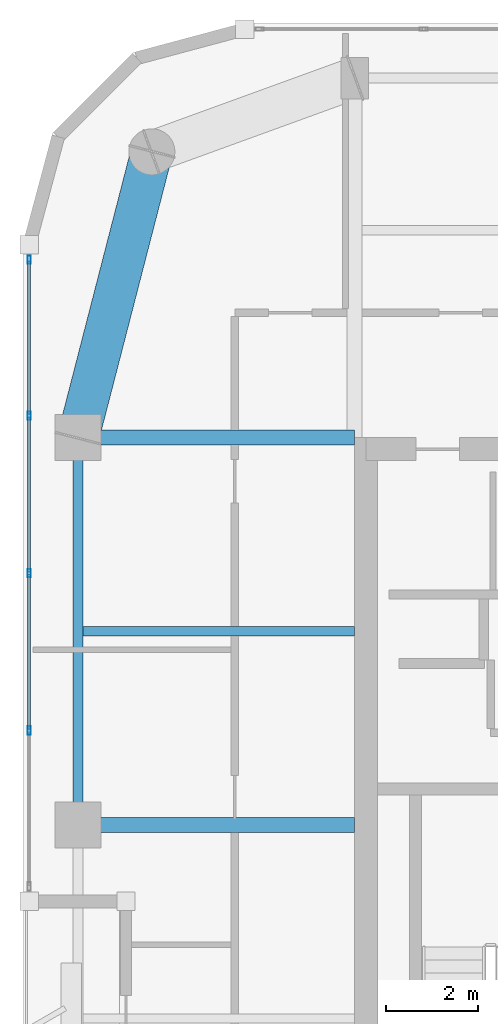
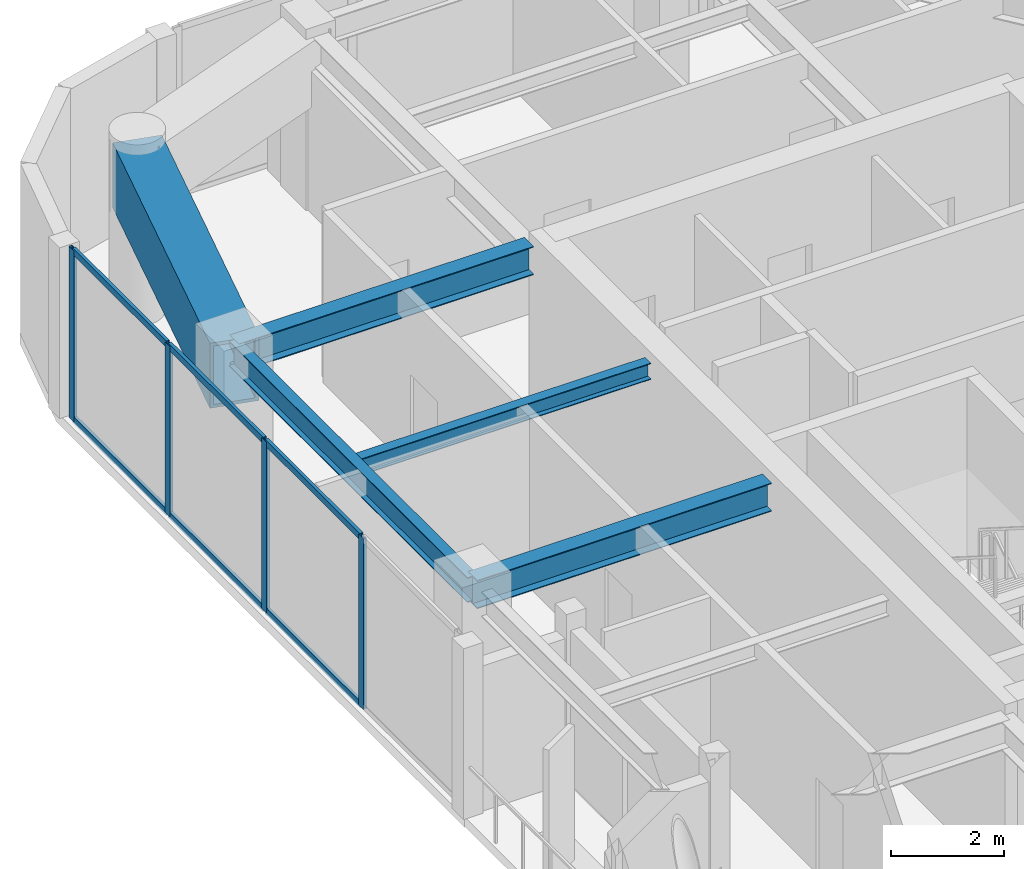
# One storey, part 4 of 15: 10 members, 5 beams, 1 element without a shape of its own.
"""IFC4 building model written with IfcOpenShell, lengths in metres."""

from ifc_helpers import new_model, si_unit, direction, frame, origin, origin_2d, place, context, subcontext, project, spatial, hollow_rectangle, i_section, extrude, material, layer, layer_set, material_profile, profile_set, type_object, element, aggregate, save


model = new_model("IFC4")

# Units and contexts
model_context = context("Model", 3, precision=1e-05, world=origin(), true_north=direction((0.0, 1.0)))
body_context = subcontext(model_context, "Body", "Model", "MODEL_VIEW")
ifc_project = project(units=[si_unit("LENGTHUNIT", "METRE"), si_unit("AREAUNIT", "SQUARE_METRE"), si_unit("VOLUMEUNIT", "CUBIC_METRE"), si_unit("PLANEANGLEUNIT", "RADIAN"), si_unit("MASSUNIT", "GRAM", prefix="KILO")], contexts=[model_context])

# Site, building, storey
site_placement = place(None, origin())
site = spatial("IfcSite", under=ifc_project, at=site_placement, CompositionType="ELEMENT")
building_placement = place(site_placement, origin())
building = spatial("IfcBuilding", under=site, at=building_placement, Name="Kiyonajd Concourse Tower", CompositionType="ELEMENT")
storey_placement = place(building_placement, frame((0.0, 0.0, 262.800048828125)))
storey = spatial("IfcBuildingStorey", under=building, at=storey_placement, Name="L66", CompositionType="ELEMENT", Elevation=262.800048828125)

# Beams
ifc_material_1 = material(Name="Steel ASTM A992 Grade 50", Category="steel")
ifc_material_profile_1 = material_profile(ifc_material_1, i_section(OverallWidth=0.205078125, OverallDepth=0.35400390625, WebThickness=0.009521484375, FlangeThickness=0.016845703125, at=origin_2d()), Name="W360X79")
ifc_profile_set_1 = profile_set([ifc_material_profile_1], Name="Steel ASTM A992 Grade 50")
beam_type_1 = type_object("IfcBeamType", Name="BM-JST-360", PredefinedType="JOIST", material=ifc_profile_set_1)
beam_1_placement = place(storey_placement, frame((26.505615234375, 40.199951171875, 3.5029296875), z_axis=(1.0, 0.0, 0.0), x_axis=(0.0, 1.0, 0.0)))
element("IfcBeam", 1, at=beam_1_placement, inside=storey, type_object=beam_type_1, Name="L66 West Secondary Floor Joist", PredefinedType="JOIST", context=body_context, shape_type="SweptSolid", body=[
    extrude(i_section(OverallWidth=0.205078125, OverallDepth=0.35400390625, WebThickness=0.009521484375, FlangeThickness=0.016845703125, at=origin_2d()), origin(), (0.0, 0.0, 1.0), 5.894287109375),
])
ifc_material_profile_2 = material_profile(ifc_material_1, i_section(OverallWidth=0.2109375, OverallDepth=0.5390625, WebThickness=0.01171875, FlangeThickness=0.018798828125, at=origin_2d()), Name="W530X109")
ifc_profile_set_2 = profile_set([ifc_material_profile_2], Name="Steel ASTM A992 Grade 50")
beam_type_2 = type_object("IfcBeamType", Name="BM-SPAN-530B", PredefinedType="SPANDREL", material=ifc_profile_set_2)
beam_2_placement = place(storey_placement, frame((26.39990234375, 44.39990234375, 3.410400390625), z_axis=(0.0, -1.0, 0.0), x_axis=(1.0, 0.0, 0.0)))
element("IfcBeam", 2, at=beam_2_placement, inside=storey, type_object=beam_type_2, Name="L66 Perimeter Bundled Tube Spandrel", PredefinedType="SPANDREL", context=body_context, shape_type="SweptSolid", body=[
    extrude(i_section(OverallWidth=0.2109375, OverallDepth=0.5390625, WebThickness=0.01171875, FlangeThickness=0.018798828125, at=origin_2d()), origin(), (0.0, 0.0, 1.0), 8.39990234375),
])
ifc_material_profile_3 = material_profile(ifc_material_1, i_section(OverallWidth=0.323974609375, OverallDepth=0.611083984375, WebThickness=0.0126953125, FlangeThickness=0.01904296875, at=origin_2d()), Name="W610X155")
ifc_profile_set_3 = profile_set([ifc_material_profile_3], Name="Steel ASTM A992 Grade 50")
beam_type_3 = type_object("IfcBeamType", Name="BM-TWR-610B", PredefinedType="BEAM", material=ifc_profile_set_3)
for number, where, z_axis, x_axis, name in (
    (3, (26.39990234375, 36.0, 3.37451171875), (1.0, 0.0, 0.0), (0.0, 1.0, 0.0), "L66 West Lease Girder"),
    (4, (26.39990234375, 44.39990234375, 3.37451171875), (1.0, 0.0, 0.0), (0.0, 1.0, 0.0), "L66 West Lease Girder"),
):
    element("IfcBeam", number, at=place(storey_placement, frame(where, z_axis=z_axis, x_axis=x_axis)), inside=storey, type_object=beam_type_3, Name=name, PredefinedType="BEAM", context=body_context, shape_type="SweptSolid", body=[
        extrude(i_section(OverallWidth=0.323974609375, OverallDepth=0.611083984375, WebThickness=0.0126953125, FlangeThickness=0.01904296875, at=origin_2d()), origin(), (0.0, 0.0, 1.0), 6.0),
    ])
ifc_material_2 = material(Name="Steel ASTM A572 Grade 50", Category="steel")
ifc_material_profile_4 = material_profile(ifc_material_2, hollow_rectangle(XDim=0.89990234375, YDim=1.39990234375, WallThickness=0.070068359375, at=origin_2d()), Name="BOX-1400x900x70")
ifc_profile_set_4 = profile_set([ifc_material_profile_4], Name="Steel ASTM A572 Grade 50")
beam_type_4 = type_object("IfcBeamType", Name="BM-XFER-1400", PredefinedType="BEAM", material=ifc_profile_set_4)
beam_3_placement = place(storey_placement, frame((28.0, 50.60009765625, 2.97998046875), z_axis=(-0.249884937687, -0.968275538221, 0.0), x_axis=(0.968275538221, -0.249884937687, 0.0)))
element("IfcBeam", 5, at=beam_3_placement, inside=storey, type_object=beam_type_4, Name="L66 Perimeter Bundled Tube Spandrel", PredefinedType="BEAM", context=body_context, shape_type="SweptSolid", body=[
    extrude(hollow_rectangle(XDim=0.89990234375, YDim=1.39990234375, WallThickness=0.070068359375, at=origin_2d()), origin(), (0.0, 0.0, 1.0), 6.4033203125),
])

# Curtain wall, members
ifc_material_3 = material(Name="Thermally Broken Anodised Aluminium", Category="aluminium")
ifc_layer = layer(ifc_material_3, 0.179931640625)
ifc_layer_set = layer_set([ifc_layer], Name="Thermally Broken Anodised Aluminium")
curtain_wall_type = type_object("IfcCurtainWallType", Name="CW-SYS-04", PredefinedType="NOTDEFINED", material=ifc_layer_set)
curtain_wall_placement = place(storey_placement, origin())
curtain_wall = element("IfcCurtainWall", 6, at=curtain_wall_placement, inside=storey, type_object=curtain_wall_type, Name="L66 Unitised Curtain Wall CW4", PredefinedType="NOTDEFINED")
ifc_material_profile_5 = material_profile(ifc_material_3, hollow_rectangle(XDim=0.06494140625, YDim=0.179931640625, WallThickness=0.00390625, at=origin_2d()), Name="MULL-65x180")
ifc_profile_set_5 = profile_set([ifc_material_profile_5], Name="Thermally Broken Anodised Aluminium")
member_type_1 = type_object("IfcMemberType", Name="MB-CW-MULL1", PredefinedType="MULLION", material=ifc_profile_set_5)
member_1_placement = place(storey_placement, frame((25.340087890625, 38.04541015625, 0.0), z_axis=(0.0, 0.0, 1.0), x_axis=(-1.0, 0.0, 0.0)))
member_1 = element("IfcMember", 7, at=member_1_placement, type_object=member_type_1, Name="CW4 mullion 2", PredefinedType="MULLION", context=body_context, shape_type="SweptSolid", body=[
    extrude(hollow_rectangle(XDim=0.06494140625, YDim=0.179931640625, WallThickness=0.00390625, at=origin_2d()), origin(), (0.0, 0.0, 1.0), 3.679931640625),
])
member_2_placement = place(storey_placement, frame((25.340087890625, 41.460693359375, 0.0), z_axis=(0.0, 0.0, 1.0), x_axis=(-1.0, 0.0, 0.0)))
member_2 = element("IfcMember", 8, at=member_2_placement, type_object=member_type_1, Name="CW4 mullion 3", PredefinedType="MULLION", context=body_context, shape_type="SweptSolid", body=[
    extrude(hollow_rectangle(XDim=0.06494140625, YDim=0.179931640625, WallThickness=0.00390625, at=origin_2d()), origin(), (0.0, 0.0, 1.0), 3.679931640625),
])
member_3_placement = place(storey_placement, frame((25.340087890625, 44.876220703125, 0.0), z_axis=(0.0, 0.0, 1.0), x_axis=(-1.0, 0.0, 0.0)))
member_3 = element("IfcMember", 9, at=member_3_placement, type_object=member_type_1, Name="CW4 mullion 4", PredefinedType="MULLION", context=body_context, shape_type="SweptSolid", body=[
    extrude(hollow_rectangle(XDim=0.06494140625, YDim=0.179931640625, WallThickness=0.00390625, at=origin_2d()), origin(), (0.0, 0.0, 1.0), 3.679931640625),
])
member_4_placement = place(storey_placement, frame((25.340087890625, 48.259033203125, 0.0), z_axis=(0.0, 0.0, 1.0), x_axis=(-1.0, 0.0, 0.0)))
member_4 = element("IfcMember", 10, at=member_4_placement, type_object=member_type_1, Name="CW4 mullion 5", PredefinedType="MULLION", context=body_context, shape_type="SweptSolid", body=[
    extrude(hollow_rectangle(XDim=0.06494140625, YDim=0.179931640625, WallThickness=0.00390625, at=origin_2d()), origin(), (0.0, 0.0, 1.0), 3.679931640625),
])
ifc_material_profile_6 = material_profile(ifc_material_3, hollow_rectangle(XDim=0.06494140625, YDim=0.139892578125, WallThickness=0.00390625, at=origin_2d()), Name="TRAN-65x140")
ifc_profile_set_6 = profile_set([ifc_material_profile_6], Name="Thermally Broken Anodised Aluminium")
member_type_2 = type_object("IfcMemberType", Name="MB-CW-TRAN1", PredefinedType="USERDEFINED", material=ifc_profile_set_6)
member_5_placement = place(storey_placement, frame((25.340087890625, 38.077880859375, 0.032470703125), z_axis=(0.0, 1.0, 0.0), x_axis=(-1.0, 0.0, 0.0)))
member_5 = element("IfcMember", 11, at=member_5_placement, type_object=member_type_2, Name="CW4 transom 2.1", ObjectType="TRANSOM", PredefinedType="USERDEFINED", context=body_context, shape_type="SweptSolid", body=[
    extrude(hollow_rectangle(XDim=0.06494140625, YDim=0.139892578125, WallThickness=0.00390625, at=origin_2d()), origin(), (0.0, 0.0, 1.0), 3.350341796875),
])
member_6_placement = place(storey_placement, frame((25.340087890625, 38.077880859375, 3.6474609375), z_axis=(0.0, 1.0, 0.0), x_axis=(-1.0, 0.0, 0.0)))
member_6 = element("IfcMember", 12, at=member_6_placement, type_object=member_type_2, Name="CW4 transom 2.2", ObjectType="TRANSOM", PredefinedType="USERDEFINED", context=body_context, shape_type="SweptSolid", body=[
    extrude(hollow_rectangle(XDim=0.06494140625, YDim=0.139892578125, WallThickness=0.00390625, at=origin_2d()), origin(), (0.0, 0.0, 1.0), 3.350341796875),
])
member_7_placement = place(storey_placement, frame((25.340087890625, 41.493408203125, 0.032470703125), z_axis=(0.0, 1.0, 0.0), x_axis=(-1.0, 0.0, 0.0)))
member_7 = element("IfcMember", 13, at=member_7_placement, type_object=member_type_2, Name="CW4 transom 3.1", ObjectType="TRANSOM", PredefinedType="USERDEFINED", context=body_context, shape_type="SweptSolid", body=[
    extrude(hollow_rectangle(XDim=0.06494140625, YDim=0.139892578125, WallThickness=0.00390625, at=origin_2d()), origin(), (0.0, 0.0, 1.0), 3.350341796875),
])
member_8_placement = place(storey_placement, frame((25.340087890625, 41.493408203125, 3.6474609375), z_axis=(0.0, 1.0, 0.0), x_axis=(-1.0, 0.0, 0.0)))
member_8 = element("IfcMember", 14, at=member_8_placement, type_object=member_type_2, Name="CW4 transom 3.2", ObjectType="TRANSOM", PredefinedType="USERDEFINED", context=body_context, shape_type="SweptSolid", body=[
    extrude(hollow_rectangle(XDim=0.06494140625, YDim=0.139892578125, WallThickness=0.00390625, at=origin_2d()), origin(), (0.0, 0.0, 1.0), 3.350341796875),
])
member_9_placement = place(storey_placement, frame((25.340087890625, 44.90869140625, 0.032470703125), z_axis=(0.0, 1.0, 0.0), x_axis=(-1.0, 0.0, 0.0)))
member_9 = element("IfcMember", 15, at=member_9_placement, type_object=member_type_2, Name="CW4 transom 4.1", ObjectType="TRANSOM", PredefinedType="USERDEFINED", context=body_context, shape_type="SweptSolid", body=[
    extrude(hollow_rectangle(XDim=0.06494140625, YDim=0.139892578125, WallThickness=0.00390625, at=origin_2d()), origin(), (0.0, 0.0, 1.0), 3.31787109375),
])
member_10_placement = place(storey_placement, frame((25.340087890625, 44.90869140625, 3.6474609375), z_axis=(0.0, 1.0, 0.0), x_axis=(-1.0, 0.0, 0.0)))
member_10 = element("IfcMember", 16, at=member_10_placement, type_object=member_type_2, Name="CW4 transom 4.2", ObjectType="TRANSOM", PredefinedType="USERDEFINED", context=body_context, shape_type="SweptSolid", body=[
    extrude(hollow_rectangle(XDim=0.06494140625, YDim=0.139892578125, WallThickness=0.00390625, at=origin_2d()), origin(), (0.0, 0.0, 1.0), 3.31787109375),
])
aggregate(curtain_wall, [member_1, member_2, member_3, member_4, member_5, member_6, member_7, member_8, member_9, member_10])

save(model, "model.ifc")
